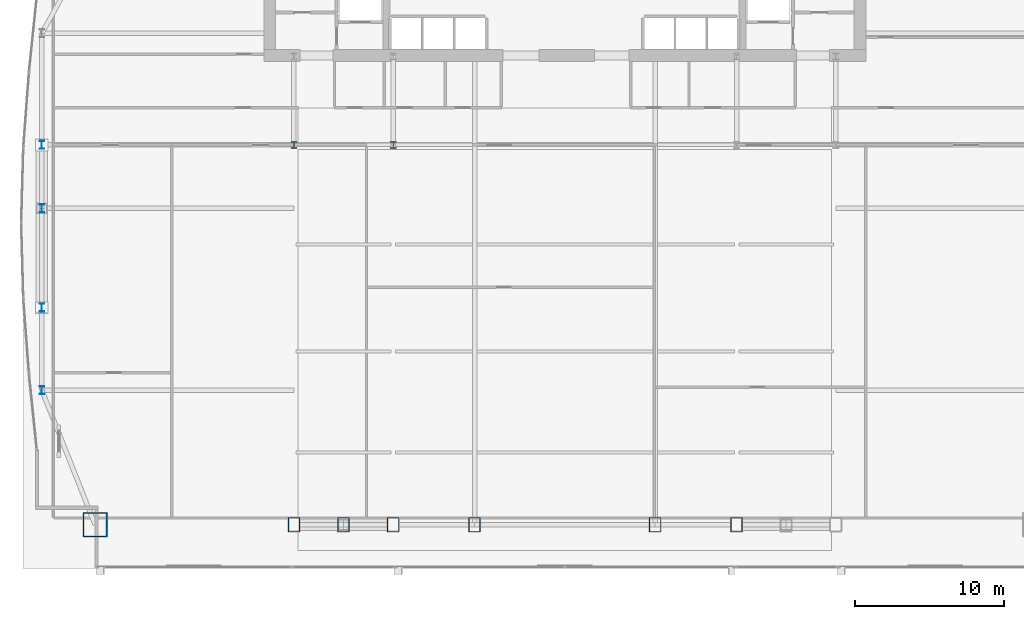
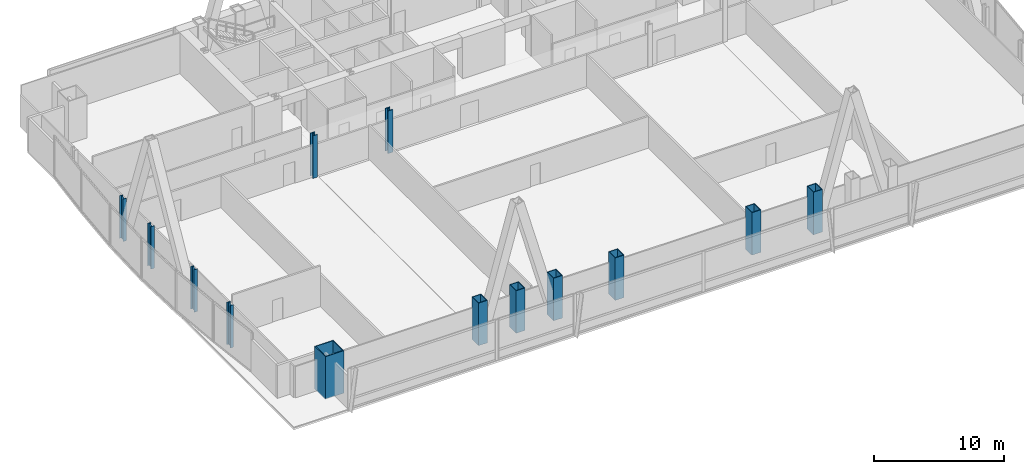
# One storey, part 1 of 35: 13 columns.
"""IFC4 building model written with IfcOpenShell, lengths in metres."""

from ifc_helpers import new_model, si_unit, direction, frame, origin, origin_2d, place, context, subcontext, project, spatial, hollow_rectangle, i_section, extrude, material, material_profile, profile_set, type_object, element, save


model = new_model("IFC4")

# Units and contexts
model_context = context("Model", 3, precision=1e-05, world=origin(), true_north=direction((0.0, 1.0)))
body_context = subcontext(model_context, "Body", "Model", "MODEL_VIEW")
ifc_project = project(units=[si_unit("LENGTHUNIT", "METRE"), si_unit("AREAUNIT", "SQUARE_METRE"), si_unit("VOLUMEUNIT", "CUBIC_METRE"), si_unit("PLANEANGLEUNIT", "RADIAN"), si_unit("MASSUNIT", "GRAM", prefix="KILO")], contexts=[model_context])

# Site, building, storey
site_placement = place(None, origin())
site = spatial("IfcSite", under=ifc_project, at=site_placement, CompositionType="ELEMENT")
building_placement = place(site_placement, origin())
building = spatial("IfcBuilding", under=site, at=building_placement, Name="Khoronbel Lancet Exchange", CompositionType="ELEMENT")
storey_placement = place(building_placement, frame((0.0, 0.0, 25.800048828125)))
storey = spatial("IfcBuildingStorey", under=building, at=storey_placement, Name="L05", CompositionType="ELEMENT", Elevation=25.800048828125)

# Columns
ifc_material_1 = material(Name="Steel S460", Category="steel")
ifc_material_profile_1 = material_profile(ifc_material_1, hollow_rectangle(XDim=0.800048828125, YDim=1.0, WallThickness=0.054931640625, at=origin_2d()), Name="BOX 1000x800x55")
ifc_profile_set_1 = profile_set([ifc_material_profile_1], Name="Steel S460")
column_type_1 = type_object("IfcColumnType", Name="COL-EC1", PredefinedType="COLUMN", material=ifc_profile_set_1)
for number, where, z_axis, x_axis, name in (
    (1, (18.22509765625, 10.14990234375, 0.0), (0.0, 0.0, 1.0), (1.0, 0.0, 0.0), "Structural column SC-W1 L05"),
    (2, (21.5625, 10.14990234375, 0.0), (0.0, 0.0, 1.0), (1.0, 0.0, 0.0), "Structural column SC-WM L05"),
    (3, (24.89990234375, 10.14990234375, 0.0), (0.0, 0.0, 1.0), (1.0, 0.0, 0.0), "Structural column SC-W2 L05"),
    (4, (30.375, 10.14990234375, 0.0), (0.0, 0.0, 1.0), (1.0, 0.0, 0.0), "Structural column SC-C1 L05"),
    (5, (42.52490234375, 10.14990234375, 0.0), (0.0, 0.0, 1.0), (1.0, 0.0, 0.0), "Structural column SC-C2 L05"),
    (6, (48.0, 10.14990234375, 0.0), (0.0, 0.0, 1.0), (1.0, 0.0, 0.0), "Structural column SC-E1 L05"),
):
    element("IfcColumn", number, at=place(storey_placement, frame(where, z_axis=z_axis, x_axis=x_axis)), inside=storey, type_object=column_type_1, Name=name, PredefinedType="COLUMN", context=body_context, shape_type="SweptSolid", body=[
        extrude(hollow_rectangle(XDim=0.800048828125, YDim=1.0, WallThickness=0.054931640625, at=origin_2d()), origin(), (0.0, 0.0, 1.0), 4.0),
    ])
ifc_material_profile_2 = material_profile(ifc_material_1, i_section(OverallWidth=0.424072265625, OverallDepth=0.47412109375, WebThickness=0.047607421875, FlangeThickness=0.076904296875, at=origin_2d()), Name="HD 400x634")
ifc_profile_set_2 = profile_set([ifc_material_profile_2], Name="Steel S460")
column_type_2 = type_object("IfcColumnType", Name="COL-IC1", PredefinedType="COLUMN", material=ifc_profile_set_2)
for number, where, z_axis, x_axis, name in (
    (7, (18.22509765625, 35.699951171875, 0.0), (0.0, 0.0, 1.0), (1.0, 0.0, 0.0), "Spine gravity column TC1 L05"),
    (8, (24.89990234375, 35.699951171875, 0.0), (0.0, 0.0, 1.0), (1.0, 0.0, 0.0), "Spine gravity column TC2 L05"),
):
    element("IfcColumn", number, at=place(storey_placement, frame(where, z_axis=z_axis, x_axis=x_axis)), inside=storey, type_object=column_type_2, Name=name, PredefinedType="COLUMN", context=body_context, shape_type="SweptSolid", body=[
        extrude(i_section(OverallWidth=0.424072265625, OverallDepth=0.47412109375, WebThickness=0.047607421875, FlangeThickness=0.076904296875, at=origin_2d()), origin(), (0.0, 0.0, 1.0), 4.0),
    ])
ifc_material_2 = material(Name="Steel S355", Category="steel")
ifc_material_profile_3 = material_profile(ifc_material_2, i_section(OverallWidth=0.300048828125, OverallDepth=0.550048828125, WebThickness=0.014892578125, FlangeThickness=0.029052734375, at=origin_2d()), Name="HEB 550")
ifc_profile_set_3 = profile_set([ifc_material_profile_3], Name="Steel S355")
column_type_3 = type_object("IfcColumnType", Name="COL-LC1", PredefinedType="COLUMN", material=ifc_profile_set_3)
for number, where, z_axis, x_axis, name in (
    (9, (1.27001953125, 19.199951171875, 0.0), (0.0, 0.0, 1.0), (1.0, 0.0, 0.0), "Structural column WC-1 L05"),
    (10, (1.27001953125, 24.75, 0.0), (0.0, 0.0, 1.0), (1.0, 0.0, 0.0), "Structural column WC-2 L05"),
    (11, (1.27001953125, 31.425048828125, 0.0), (0.0, 0.0, 1.0), (1.0, 0.0, 0.0), "Structural column WC-M L05"),
    (12, (1.27001953125, 35.699951171875, 0.0), (0.0, 0.0, 1.0), (1.0, 0.0, 0.0), "Structural column WC-3 L05"),
):
    element("IfcColumn", number, at=place(storey_placement, frame(where, z_axis=z_axis, x_axis=x_axis)), inside=storey, type_object=column_type_3, Name=name, PredefinedType="COLUMN", context=body_context, shape_type="SweptSolid", body=[
        extrude(i_section(OverallWidth=0.300048828125, OverallDepth=0.550048828125, WebThickness=0.014892578125, FlangeThickness=0.029052734375, at=origin_2d()), origin(), (0.0, 0.0, 1.0), 4.0),
    ])
ifc_material_profile_4 = material_profile(ifc_material_1, hollow_rectangle(XDim=1.64990234375, YDim=1.64990234375, WallThickness=0.074951171875, at=origin_2d()), Name="BOX 1650x1650x75")
ifc_profile_set_4 = profile_set([ifc_material_profile_4], Name="Steel S460")
column_type_4 = type_object("IfcColumnType", Name="COL-MC2", PredefinedType="COLUMN", material=ifc_profile_set_4)
column_placement = place(storey_placement, frame((4.85009765625, 10.14990234375, 0.0), z_axis=(0.0, 0.0, 1.0), x_axis=(1.0, 0.0, 0.0)))
element("IfcColumn", 13, at=column_placement, inside=storey, type_object=column_type_4, Name="Structural column MC-SW L05", PredefinedType="COLUMN", context=body_context, shape_type="SweptSolid", body=[
    extrude(hollow_rectangle(XDim=1.64990234375, YDim=1.64990234375, WallThickness=0.074951171875, at=origin_2d()), origin(), (0.0, 0.0, 1.0), 4.0),
])

save(model, "model.ifc")
